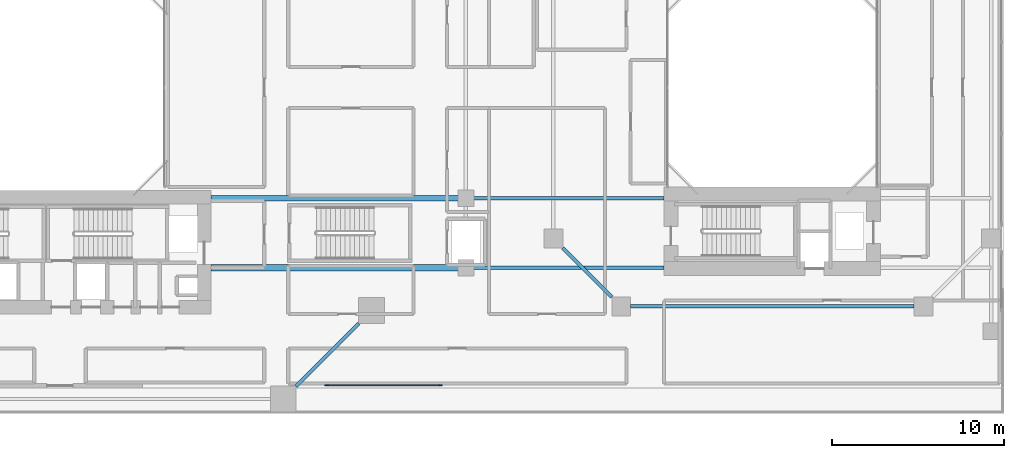
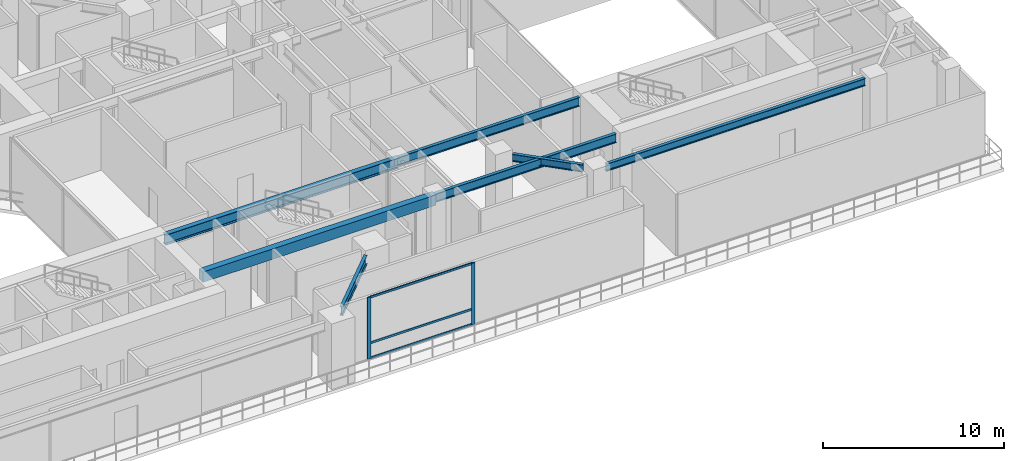
# One storey, part 5 of 20: 7 beams, 5 members, 1 element without a shape of its own.
"""IFC4 building model written with IfcOpenShell, lengths in metres."""

from ifc_helpers import new_model, si_unit, direction, frame, origin, origin_2d, place, context, subcontext, project, spatial, rectangle, i_section, extrude, source, transform, mapped, material, layer, layer_set, material_profile, profile_set, type_object, element, aggregate, save


model = new_model("IFC4")

# Units and contexts
model_context = context("Model", 3, precision=1e-05, world=origin(), true_north=direction((0.0, 1.0)))
body_context = subcontext(model_context, "Body", "Model", "MODEL_VIEW")
ifc_project = project(units=[si_unit("LENGTHUNIT", "METRE"), si_unit("AREAUNIT", "SQUARE_METRE"), si_unit("VOLUMEUNIT", "CUBIC_METRE"), si_unit("PLANEANGLEUNIT", "RADIAN"), si_unit("MASSUNIT", "GRAM", prefix="KILO"), si_unit("THERMODYNAMICTEMPERATUREUNIT", "KELVIN"), si_unit("POWERUNIT", "WATT")], contexts=[model_context])

# Site, building, storey
site_placement = place(None, origin())
site = spatial("IfcSite", under=ifc_project, at=site_placement, CompositionType="ELEMENT")
building_placement = place(site_placement, origin())
building = spatial("IfcBuilding", under=site, at=building_placement, Name="Qiaomeng Ring Towers", CompositionType="ELEMENT")
storey_placement = place(building_placement, frame((0.0, 0.0, 13.800048828125)))
storey = spatial("IfcBuildingStorey", under=building, at=storey_placement, Name="L03", CompositionType="ELEMENT", Elevation=13.800048828125)

# Beams
ifc_material_1 = material(Name="Steel Q355B", Category="steel")
ifc_material_profile_1 = material_profile(ifc_material_1, i_section(OverallWidth=0.199951171875, OverallDepth=0.60009765625, WebThickness=0.010986328125, FlangeThickness=0.01708984375, FilletRadius=0.02197265625, at=origin_2d()), Name="HN 600x200x11x17")
ifc_profile_set_1 = profile_set([ifc_material_profile_1], Name="Steel Q355B")
beam_type_1 = type_object("IfcBeamType", Name="STR-BM-HN600", PredefinedType="BEAM", material=ifc_profile_set_1)
shared_shape_1 = source(origin(), body_context, "Body", "SweptSolid", [
    extrude(i_section(OverallWidth=0.199951171875, OverallDepth=0.60009765625, WebThickness=0.010986328125, FlangeThickness=0.01708984375, FilletRadius=0.02197265625, at=origin_2d()), origin(), (0.0, 0.0, 1.0), 5.163818359375),
])
beam_1_placement = place(storey_placement, frame((32.749267578125, 5.599365234375, 3.849853515625), z_axis=(0.707106781187, 0.707106781187, 0.0), x_axis=(-0.707106781187, 0.707106781187, 0.0)))
element("IfcBeam", 1, at=beam_1_placement, inside=storey, type_object=beam_type_1, Name="L03 beam STR-SP-L03-T1-2", PredefinedType="BEAM", context=body_context, shape_type="MappedRepresentation", body=[
    mapped(shared_shape_1, transform((0.0, 0.0, 0.0), x_axis=(1.0, 0.0, 0.0), y_axis=(0.0, 1.0, 0.0), z_axis=(0.0, 0.0, 1.0), scale=1.0)),
])
ifc_material_profile_2 = material_profile(ifc_material_1, i_section(OverallWidth=0.199951171875, OverallDepth=0.5, WebThickness=0.010009765625, FlangeThickness=0.01611328125, FilletRadius=0.02001953125, at=origin_2d()), Name="HN 500x200x10x16")
ifc_profile_set_2 = profile_set([ifc_material_profile_2], Name="Steel Q355B")
beam_type_2 = type_object("IfcBeamType", Name="STR-BM-HN500", PredefinedType="BEAM", material=ifc_profile_set_2)
shared_shape_2 = source(origin(), body_context, "Body", "SweptSolid", [
    extrude(i_section(OverallWidth=0.199951171875, OverallDepth=0.5, WebThickness=0.010009765625, FlangeThickness=0.01611328125, FilletRadius=0.02001953125, at=origin_2d()), origin(), (0.0, 0.0, 1.0), 4.032470703125),
])
beam_2_placement = place(storey_placement, frame((48.29931640625, 13.650634765625, 3.89990234375), z_axis=(0.707106781187, -0.707106781187, 0.0), x_axis=(0.707106781187, 0.707106781187, 0.0)))
element("IfcBeam", 2, at=beam_2_placement, inside=storey, type_object=beam_type_2, Name="L03 beam STR-SP-L03-T2-0", PredefinedType="BEAM", context=body_context, shape_type="MappedRepresentation", body=[
    mapped(shared_shape_2, transform((0.0, 0.0, 0.0), x_axis=(1.0, 0.0, 0.0), y_axis=(0.0, 1.0, 0.0), z_axis=(0.0, 0.0, 1.0), scale=1.0)),
])
shared_shape_3 = source(origin(), body_context, "Body", "SweptSolid", [
    extrude(i_section(OverallWidth=0.199951171875, OverallDepth=0.5, WebThickness=0.010009765625, FlangeThickness=0.01611328125, FilletRadius=0.02001953125, at=origin_2d()), origin(), (0.0, 0.0, 1.0), 16.501953125),
])
beam_3_placement = place(storey_placement, frame((52.2490234375, 10.25, 3.89990234375), z_axis=(1.0, 0.0, 0.0), x_axis=(0.0, 1.0, 0.0)))
element("IfcBeam", 3, at=beam_3_placement, inside=storey, type_object=beam_type_2, Name="L03 beam STR-SP-L03-T2-1", PredefinedType="BEAM", context=body_context, shape_type="MappedRepresentation", body=[
    mapped(shared_shape_3, transform((0.0, 0.0, 0.0), x_axis=(1.0, 0.0, 0.0), y_axis=(0.0, 1.0, 0.0), z_axis=(0.0, 0.0, 1.0), scale=1.0)),
])
shared_shape_4 = source(origin(), body_context, "Body", "SweptSolid", [
    extrude(i_section(OverallWidth=0.199951171875, OverallDepth=0.60009765625, WebThickness=0.010986328125, FlangeThickness=0.01708984375, FilletRadius=0.02197265625, at=origin_2d()), origin(), (0.0, 0.0, 1.0), 11.550048828125),
])
for number, where, z_axis, x_axis, name in (
    (4, (42.64990234375, 12.5, 3.849853515625), (1.0, 0.0, 0.0), (0.0, 1.0, 0.0), "L03 beam STR-BM-L03-M2-0"),
    (5, (42.64990234375, 16.550048828125, 3.849853515625), (1.0, 0.0, 0.0), (0.0, 1.0, 0.0), "L03 beam STR-BM-L03-M2-1"),
):
    element("IfcBeam", number, at=place(storey_placement, frame(where, z_axis=z_axis, x_axis=x_axis)), inside=storey, type_object=beam_type_1, Name=name, PredefinedType="BEAM", context=body_context, shape_type="MappedRepresentation", body=[
        mapped(shared_shape_4, transform((0.0, 0.0, 0.0), x_axis=(1.0, 0.0, 0.0), y_axis=(0.0, 1.0, 0.0), z_axis=(0.0, 0.0, 1.0), scale=1.0)),
    ])
ifc_material_profile_3 = material_profile(ifc_material_1, i_section(OverallWidth=0.300048828125, OverallDepth=0.699951171875, WebThickness=0.012939453125, FlangeThickness=0.02392578125, FilletRadius=0.02392578125, at=origin_2d()), Name="HN 700x300x13x24")
ifc_profile_set_3 = profile_set([ifc_material_profile_3], Name="Steel Q355B")
beam_type_3 = type_object("IfcBeamType", Name="STR-BM-HN700", PredefinedType="BEAM", material=ifc_profile_set_3)
shared_shape_5 = source(origin(), body_context, "Body", "SweptSolid", [
    extrude(i_section(OverallWidth=0.300048828125, OverallDepth=0.699951171875, WebThickness=0.012939453125, FlangeThickness=0.02392578125, FilletRadius=0.02392578125, at=origin_2d()), origin(), (0.0, 0.0, 1.0), 14.849853515625),
])
beam_4_placement = place(storey_placement, frame((27.800048828125, 16.550048828125, 3.800048828125), z_axis=(1.0, 0.0, 0.0), x_axis=(0.0, 1.0, 0.0)))
element("IfcBeam", 6, at=beam_4_placement, inside=storey, type_object=beam_type_3, Name="L03 beam STR-BM-L03-M1-1", PredefinedType="BEAM", context=body_context, shape_type="MappedRepresentation", body=[
    mapped(shared_shape_5, transform((0.0, 0.0, 0.0), x_axis=(1.0, 0.0, 0.0), y_axis=(0.0, 1.0, 0.0), z_axis=(0.0, 0.0, 1.0), scale=1.0)),
])
ifc_material_2 = material(Name="Concrete C40", Category="concrete")
ifc_material_profile_4 = material_profile(ifc_material_2, rectangle(XDim=0.39990234375, YDim=0.699951171875, at=origin_2d()), Name="RC BM 400x700")
ifc_profile_set_4 = profile_set([ifc_material_profile_4], Name="Concrete C40")
beam_type_4 = type_object("IfcBeamType", Name="STR-BM-RC700", PredefinedType="LINTEL", material=ifc_profile_set_4)
shared_shape_6 = source(origin(), body_context, "Body", "SweptSolid", [
    extrude(rectangle(XDim=0.39990234375, YDim=0.699951171875, at=origin_2d()), origin(), (0.0, 0.0, 1.0), 14.849853515625),
])
beam_5_placement = place(storey_placement, frame((27.800048828125, 12.5, 3.800048828125), z_axis=(1.0, 0.0, 0.0), x_axis=(0.0, 1.0, 0.0)))
element("IfcBeam", 7, at=beam_5_placement, inside=storey, type_object=beam_type_4, Name="L03 beam STR-CB-L03-T1S", PredefinedType="LINTEL", context=body_context, shape_type="MappedRepresentation", body=[
    mapped(shared_shape_6, transform((0.0, 0.0, 0.0), x_axis=(1.0, 0.0, 0.0), y_axis=(0.0, 1.0, 0.0), z_axis=(0.0, 0.0, 1.0), scale=1.0)),
])

# Curtain wall, members
ifc_material_3 = material(Name="Fluorocarbon dark-grey aluminium", Category="aluminium")
ifc_layer = layer(ifc_material_3, 0.179931640625, Name="Fluorocarbon dark-grey aluminium")
ifc_layer_set = layer_set([ifc_layer], Name="Fluorocarbon dark-grey aluminium")
curtain_wall_type = type_object("IfcCurtainWallType", Name="ARC-CW-1", PredefinedType="NOTDEFINED", material=ifc_layer_set)
curtain_wall_placement = place(storey_placement, origin())
curtain_wall = element("IfcCurtainWall", 8, at=curtain_wall_placement, inside=storey, type_object=curtain_wall_type, Name="L03 Curtain Wall CW1", PredefinedType="NOTDEFINED")
ifc_material_profile_5 = material_profile(ifc_material_3, rectangle(XDim=0.070068359375, YDim=0.139892578125, at=origin_2d()), Name="ALU TRAN 70x140")
ifc_profile_set_5 = profile_set([ifc_material_profile_5], Name="Fluorocarbon dark-grey aluminium")
member_type_1 = type_object("IfcMemberType", Name="ARC-CWT-140", PredefinedType="USERDEFINED", material=ifc_profile_set_5)
shared_shape_7 = source(origin(), body_context, "Body", "SweptSolid", [
    extrude(rectangle(XDim=0.070068359375, YDim=0.139892578125, at=origin_2d()), origin(), (0.0, 0.0, 1.0), 6.5400390625),
])
member_1_placement = place(storey_placement, frame((34.580078125, 5.64990234375, 0.034912109375), z_axis=(1.0, 0.0, 0.0), x_axis=(0.0, 1.0, 0.0)))
member_1 = element("IfcMember", 9, at=member_1_placement, type_object=member_type_1, Name="CW1 transom 1.1", ObjectType="TRANSOM", PredefinedType="USERDEFINED", context=body_context, shape_type="MappedRepresentation", body=[
    mapped(shared_shape_7, transform((0.0, 0.0, 0.0), x_axis=(1.0, 0.0, 0.0), y_axis=(0.0, 1.0, 0.0), z_axis=(0.0, 0.0, 1.0), scale=1.0)),
])
member_2_placement = place(storey_placement, frame((34.580078125, 5.64990234375, 1.050048828125), z_axis=(1.0, 0.0, 0.0), x_axis=(0.0, 1.0, 0.0)))
member_2 = element("IfcMember", 10, at=member_2_placement, type_object=member_type_1, Name="CW1 transom 1.2", ObjectType="TRANSOM", PredefinedType="USERDEFINED", context=body_context, shape_type="MappedRepresentation", body=[
    mapped(shared_shape_7, transform((0.0, 0.0, 0.0), x_axis=(1.0, 0.0, 0.0), y_axis=(0.0, 1.0, 0.0), z_axis=(0.0, 0.0, 1.0), scale=1.0)),
])
member_3_placement = place(storey_placement, frame((34.580078125, 5.64990234375, 4.114990234375), z_axis=(1.0, 0.0, 0.0), x_axis=(0.0, 1.0, 0.0)))
member_3 = element("IfcMember", 11, at=member_3_placement, type_object=member_type_1, Name="CW1 transom 1.3", ObjectType="TRANSOM", PredefinedType="USERDEFINED", context=body_context, shape_type="MappedRepresentation", body=[
    mapped(shared_shape_7, transform((0.0, 0.0, 0.0), x_axis=(1.0, 0.0, 0.0), y_axis=(0.0, 1.0, 0.0), z_axis=(0.0, 0.0, 1.0), scale=1.0)),
])
ifc_material_profile_6 = material_profile(ifc_material_3, rectangle(XDim=0.080078125, YDim=0.219970703125, at=origin_2d()), Name="ALU MULL 80x220")
ifc_profile_set_6 = profile_set([ifc_material_profile_6], Name="Fluorocarbon dark-grey aluminium")
member_type_2 = type_object("IfcMemberType", Name="ARC-CWM-180", PredefinedType="MULLION", material=ifc_profile_set_6)
shared_shape_8 = source(origin(), body_context, "Body", "SweptSolid", [
    extrude(rectangle(XDim=0.080078125, YDim=0.219970703125, at=origin_2d()), origin(), (0.0, 0.0, 1.0), 4.14990234375),
])
member_4_placement = place(storey_placement, frame((34.5400390625, 5.64990234375, 0.0), z_axis=(0.0, 0.0, 1.0), x_axis=(0.0, 1.0, 0.0)))
member_4 = element("IfcMember", 12, at=member_4_placement, type_object=member_type_2, Name="CW1 mullion 1", PredefinedType="MULLION", context=body_context, shape_type="MappedRepresentation", body=[
    mapped(shared_shape_8, transform((0.0, 0.0, 0.0), x_axis=(1.0, 0.0, 0.0), y_axis=(0.0, 1.0, 0.0), z_axis=(0.0, 0.0, 1.0), scale=1.0)),
])
member_5_placement = place(storey_placement, frame((41.159912109375, 5.64990234375, 0.0), z_axis=(0.0, 0.0, 1.0), x_axis=(0.0, 1.0, 0.0)))
member_5 = element("IfcMember", 13, at=member_5_placement, type_object=member_type_2, Name="CW1 mullion 2", PredefinedType="MULLION", context=body_context, shape_type="MappedRepresentation", body=[
    mapped(shared_shape_8, transform((0.0, 0.0, 0.0), x_axis=(1.0, 0.0, 0.0), y_axis=(0.0, 1.0, 0.0), z_axis=(0.0, 0.0, 1.0), scale=1.0)),
])
aggregate(curtain_wall, [member_4, member_5, member_1, member_2, member_3])

save(model, "model.ifc")
